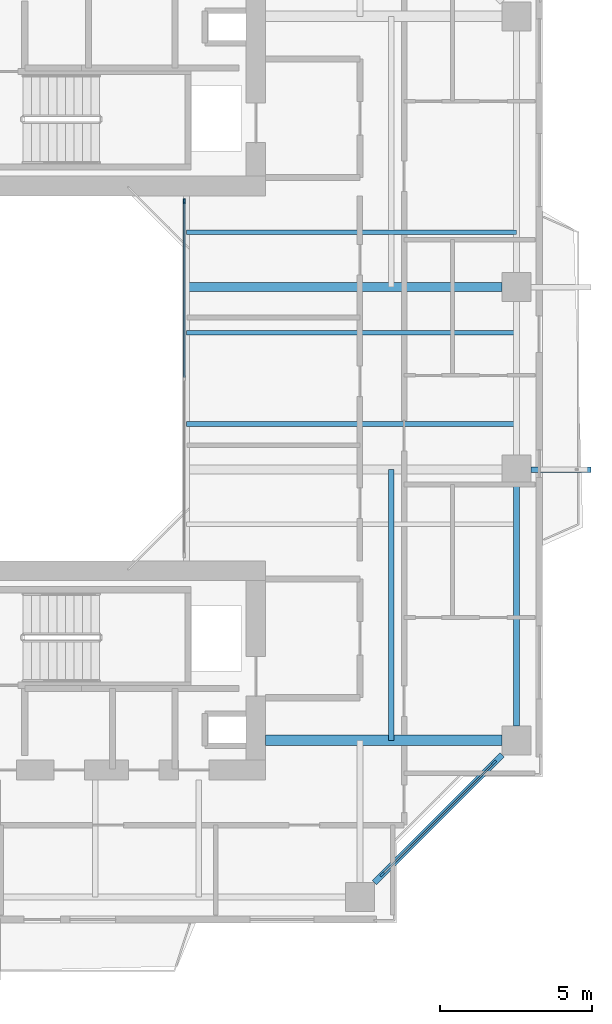
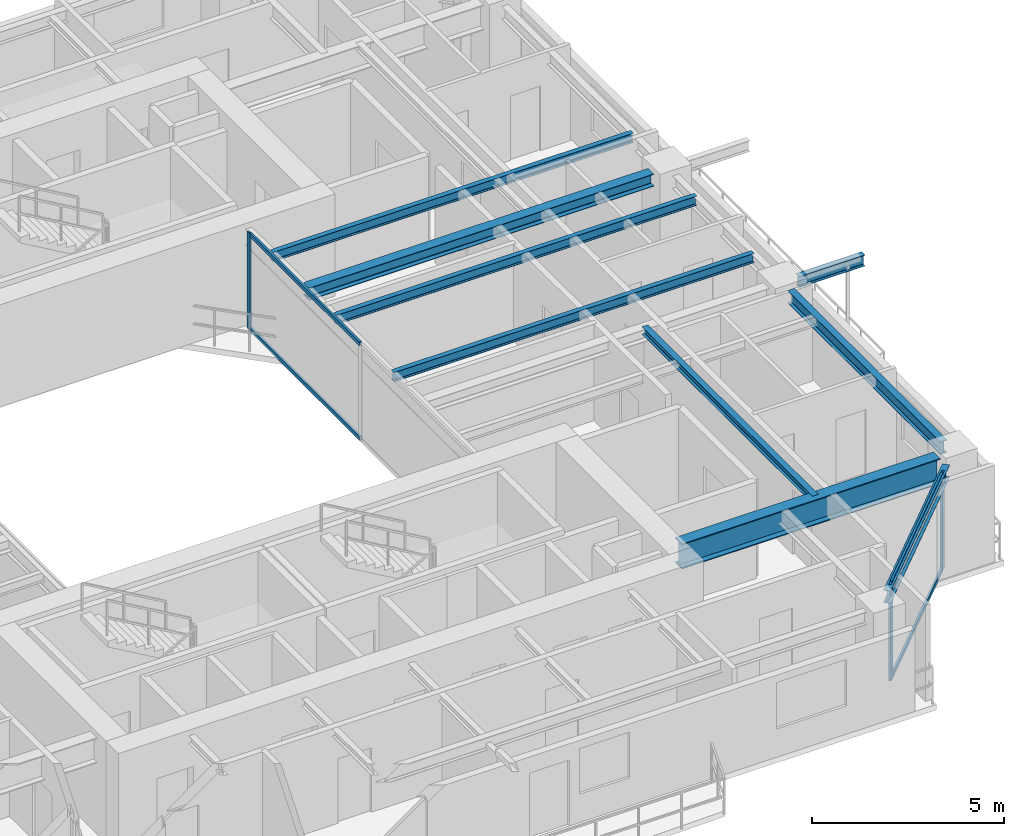
# One storey, part 7 of 18: 9 beams, 7 members, 2 elements without a shape of their own.
"""IFC4 building model written with IfcOpenShell, lengths in metres."""

from ifc_helpers import new_model, si_unit, direction, frame, origin, origin_2d, place, context, subcontext, project, spatial, rectangle, i_section, extrude, source, transform, mapped, material, layer, layer_set, material_profile, profile_set, type_object, element, aggregate, save


model = new_model("IFC4")

# Units and contexts
model_context = context("Model", 3, precision=1e-05, world=origin(), true_north=direction((0.0, 1.0)))
body_context = subcontext(model_context, "Body", "Model", "MODEL_VIEW")
ifc_project = project(units=[si_unit("LENGTHUNIT", "METRE"), si_unit("AREAUNIT", "SQUARE_METRE"), si_unit("VOLUMEUNIT", "CUBIC_METRE"), si_unit("PLANEANGLEUNIT", "RADIAN"), si_unit("MASSUNIT", "GRAM", prefix="KILO"), si_unit("THERMODYNAMICTEMPERATUREUNIT", "KELVIN"), si_unit("POWERUNIT", "WATT")], contexts=[model_context])

# Site, building, storey
site_placement = place(None, origin())
site = spatial("IfcSite", under=ifc_project, at=site_placement, CompositionType="ELEMENT")
building_placement = place(site_placement, origin())
building = spatial("IfcBuilding", under=site, at=building_placement, Name="Qiaomeng Ring Towers", CompositionType="ELEMENT")
storey_placement = place(building_placement, frame((0.0, 0.0, 179.5)))
storey = spatial("IfcBuildingStorey", under=building, at=storey_placement, Name="L52", CompositionType="ELEMENT", Elevation=179.5)

# Beams
ifc_material_1 = material(Name="Steel Q355B", Category="steel")
ifc_material_profile_1 = material_profile(ifc_material_1, i_section(OverallWidth=0.14990234375, OverallDepth=0.300048828125, WebThickness=0.006591796875, FlangeThickness=0.009033203125, FilletRadius=0.012939453125, at=origin_2d()), Name="HN 300x150x6.5x9")
ifc_profile_set_1 = profile_set([ifc_material_profile_1], Name="Steel Q355B")
beam_type_1 = type_object("IfcBeamType", Name="STR-BM-HN300", PredefinedType="JOIST", material=ifc_profile_set_1)
shared_shape_1 = source(origin(), body_context, "Body", "SweptSolid", [
    extrude(i_section(OverallWidth=0.14990234375, OverallDepth=0.300048828125, WebThickness=0.006591796875, FlangeThickness=0.009033203125, FilletRadius=0.012939453125, at=origin_2d()), origin(), (0.0, 0.0, 1.0), 10.85009765625),
])
for number, where, z_axis, x_axis, name in (
    (1, (25.199951171875, 21.5, 2.919921875), (1.0, 0.0, 0.0), (0.0, 1.0, 0.0), "L52 beam STR-JST-L52-T1E-2"),
    (2, (25.199951171875, 24.5, 2.919921875), (1.0, 0.0, 0.0), (0.0, 1.0, 0.0), "L52 beam STR-JST-L52-T1E-3"),
    (3, (25.199951171875, 27.800048828125, 2.919921875), (1.0, 0.0, 0.0), (0.0, 1.0, 0.0), "L52 beam STR-JST-L52-T1E-4"),
):
    element("IfcBeam", number, at=place(storey_placement, frame(where, z_axis=z_axis, x_axis=x_axis)), inside=storey, type_object=beam_type_1, Name=name, PredefinedType="JOIST", context=body_context, shape_type="MappedRepresentation", body=[
        mapped(shared_shape_1, transform((0.0, 0.0, 0.0), x_axis=(1.0, 0.0, 0.0), y_axis=(0.0, 1.0, 0.0), z_axis=(0.0, 0.0, 1.0), scale=1.0)),
    ])
ifc_material_profile_2 = material_profile(ifc_material_1, i_section(OverallWidth=0.175048828125, OverallDepth=0.243896484375, WebThickness=0.007080078125, FlangeThickness=0.010986328125, FilletRadius=0.01611328125, at=origin_2d()), Name="HM 244x175x7x11")
ifc_profile_set_2 = profile_set([ifc_material_profile_2], Name="Steel Q355B")
beam_type_2 = type_object("IfcBeamType", Name="STR-BM-HM244", PredefinedType="JOIST", material=ifc_profile_set_2)
shared_shape_2 = source(origin(), body_context, "Body", "SweptSolid", [
    extrude(i_section(OverallWidth=0.175048828125, OverallDepth=0.243896484375, WebThickness=0.007080078125, FlangeThickness=0.010986328125, FilletRadius=0.01611328125, at=origin_2d()), origin(), (0.0, 0.0, 1.0), 8.89990234375),
])
beam_1_placement = place(storey_placement, frame((31.925048828125, 11.10009765625, 2.947998046875), z_axis=(0.0, 1.0, 0.0), x_axis=(-1.0, 0.0, 0.0)))
element("IfcBeam", 4, at=beam_1_placement, inside=storey, type_object=beam_type_2, Name="L52 beam STR-JST-L52-T1C-ES", PredefinedType="JOIST", context=body_context, shape_type="MappedRepresentation", body=[
    mapped(shared_shape_2, transform((0.0, 0.0, 0.0), x_axis=(1.0, 0.0, 0.0), y_axis=(0.0, 1.0, 0.0), z_axis=(0.0, 0.0, 1.0), scale=1.0)),
])
ifc_material_profile_3 = material_profile(ifc_material_1, i_section(OverallWidth=0.199951171875, OverallDepth=0.39990234375, WebThickness=0.008056640625, FlangeThickness=0.012939453125, FilletRadius=0.01611328125, at=origin_2d()), Name="HN 400x200x8x13")
ifc_profile_set_3 = profile_set([ifc_material_profile_3], Name="Steel Q355B")
beam_type_3 = type_object("IfcBeamType", Name="STR-BM-HN400", PredefinedType="SPANDREL", material=ifc_profile_set_3)
shared_shape_3 = source(origin(), body_context, "Body", "SweptSolid", [
    extrude(i_section(OverallWidth=0.199951171875, OverallDepth=0.39990234375, WebThickness=0.008056640625, FlangeThickness=0.012939453125, FilletRadius=0.01611328125, at=origin_2d()), origin(), (0.0, 0.0, 1.0), 5.941650390625),
])
beam_2_placement = place(storey_placement, frame((31.374267578125, 6.42431640625, 2.8701171875), z_axis=(0.707106781187, 0.707106781187, 0.0), x_axis=(-0.707106781187, 0.707106781187, 0.0)))
element("IfcBeam", 5, at=beam_2_placement, inside=storey, type_object=beam_type_3, Name="L52 beam STR-SP-L52-T1-S2-E1", PredefinedType="SPANDREL", context=body_context, shape_type="MappedRepresentation", body=[
    mapped(shared_shape_3, transform((0.0, 0.0, 0.0), x_axis=(1.0, 0.0, 0.0), y_axis=(0.0, 1.0, 0.0), z_axis=(0.0, 0.0, 1.0), scale=1.0)),
])
shared_shape_4 = source(origin(), body_context, "Body", "SweptSolid", [
    extrude(i_section(OverallWidth=0.199951171875, OverallDepth=0.39990234375, WebThickness=0.008056640625, FlangeThickness=0.012939453125, FilletRadius=0.01611328125, at=origin_2d()), origin(), (0.0, 0.0, 1.0), 7.951904296875),
])
beam_3_placement = place(storey_placement, frame((36.050048828125, 11.573974609375, 2.8701171875), z_axis=(0.0, 1.0, 0.0), x_axis=(-1.0, 0.0, 0.0)))
element("IfcBeam", 6, at=beam_3_placement, inside=storey, type_object=beam_type_3, Name="L52 beam STR-SP-L52-T1-E1-E2", PredefinedType="SPANDREL", context=body_context, shape_type="MappedRepresentation", body=[
    mapped(shared_shape_4, transform((0.0, 0.0, 0.0), x_axis=(1.0, 0.0, 0.0), y_axis=(0.0, 1.0, 0.0), z_axis=(0.0, 0.0, 1.0), scale=1.0)),
])
ifc_material_2 = material(Name="Steel Q390GJC", Category="steel")
ifc_material_profile_4 = material_profile(ifc_material_2, i_section(OverallWidth=0.35009765625, OverallDepth=0.800048828125, WebThickness=0.01611328125, FlangeThickness=0.028076171875, at=origin_2d()), Name="WH 800x350x16x28")
ifc_profile_set_4 = profile_set([ifc_material_profile_4], Name="Steel Q390GJC")
beam_type_4 = type_object("IfcBeamType", Name="STR-BM-WH800", PredefinedType="BEAM", material=ifc_profile_set_4)
shared_shape_5 = source(origin(), body_context, "Body", "SweptSolid", [
    extrude(i_section(OverallWidth=0.35009765625, OverallDepth=0.800048828125, WebThickness=0.01611328125, FlangeThickness=0.028076171875, at=origin_2d()), origin(), (0.0, 0.0, 1.0), 7.77587890625),
])
beam_4_placement = place(storey_placement, frame((27.800048828125, 11.10009765625, 2.669921875), z_axis=(1.0, 0.0, 0.0), x_axis=(0.0, 1.0, 0.0)))
element("IfcBeam", 7, at=beam_4_placement, inside=storey, type_object=beam_type_4, Name="L52 beam STR-BM-L52-T1-RAD-E1", PredefinedType="BEAM", context=body_context, shape_type="MappedRepresentation", body=[
    mapped(shared_shape_5, transform((0.0, 0.0, 0.0), x_axis=(1.0, 0.0, 0.0), y_axis=(0.0, 1.0, 0.0), z_axis=(0.0, 0.0, 1.0), scale=1.0)),
])
ifc_material_profile_5 = material_profile(ifc_material_1, i_section(OverallWidth=0.175048828125, OverallDepth=0.35009765625, WebThickness=0.007080078125, FlangeThickness=0.010986328125, FilletRadius=0.013916015625, at=origin_2d()), Name="HN 350x175x7x11")
ifc_profile_set_5 = profile_set([ifc_material_profile_5], Name="Steel Q355B")
beam_type_5 = type_object("IfcBeamType", Name="STR-BM-HN350", PredefinedType="JOIST", material=ifc_profile_set_5)
shared_shape_6 = source(origin(), body_context, "Body", "SweptSolid", [
    extrude(i_section(OverallWidth=0.175048828125, OverallDepth=0.35009765625, WebThickness=0.007080078125, FlangeThickness=0.010986328125, FilletRadius=0.013916015625, at=origin_2d()), origin(), (0.0, 0.0, 1.0), 1.97607421875),
])
beam_5_placement = place(storey_placement, frame((36.52392578125, 20.0, 2.89501953125), z_axis=(1.0, 0.0, 0.0), x_axis=(0.0, 1.0, 0.0)))
element("IfcBeam", 8, at=beam_5_placement, inside=storey, type_object=beam_type_5, Name="L52 beam STR-BALBM-L52-E2", PredefinedType="JOIST", context=body_context, shape_type="MappedRepresentation", body=[
    mapped(shared_shape_6, transform((0.0, 0.0, 0.0), x_axis=(1.0, 0.0, 0.0), y_axis=(0.0, 1.0, 0.0), z_axis=(0.0, 0.0, 1.0), scale=1.0)),
])
ifc_material_profile_6 = material_profile(ifc_material_1, i_section(OverallWidth=0.300048828125, OverallDepth=0.389892578125, WebThickness=0.010009765625, FlangeThickness=0.01611328125, FilletRadius=0.02197265625, at=origin_2d()), Name="HM 390x300x10x16")
ifc_profile_set_6 = profile_set([ifc_material_profile_6], Name="Steel Q355B")
beam_type_6 = type_object("IfcBeamType", Name="STR-BM-HM390", PredefinedType="BEAM", material=ifc_profile_set_6)
shared_shape_7 = source(origin(), body_context, "Body", "SweptSolid", [
    extrude(i_section(OverallWidth=0.300048828125, OverallDepth=0.389892578125, WebThickness=0.010009765625, FlangeThickness=0.01611328125, FilletRadius=0.02197265625, at=origin_2d()), origin(), (0.0, 0.0, 1.0), 10.3759765625),
])
beam_6_placement = place(storey_placement, frame((25.199951171875, 26.0, 2.875), z_axis=(1.0, 0.0, 0.0), x_axis=(0.0, 1.0, 0.0)))
element("IfcBeam", 9, at=beam_6_placement, inside=storey, type_object=beam_type_6, Name="L52 beam STR-BM-L52-T1-RAD-E3", PredefinedType="BEAM", context=body_context, shape_type="MappedRepresentation", body=[
    mapped(shared_shape_7, transform((0.0, 0.0, 0.0), x_axis=(1.0, 0.0, 0.0), y_axis=(0.0, 1.0, 0.0), z_axis=(0.0, 0.0, 1.0), scale=1.0)),
])

# Curtain wall, members
ifc_material_3 = material(Name="Fluorocarbon dark-grey aluminium", Category="aluminium")
ifc_layer_1 = layer(ifc_material_3, 0.139892578125, Name="Fluorocarbon dark-grey aluminium")
ifc_layer_set_1 = layer_set([ifc_layer_1], Name="Fluorocarbon dark-grey aluminium")
curtain_wall_type_1 = type_object("IfcCurtainWallType", Name="ARC-CW-4", PredefinedType="NOTDEFINED", material=ifc_layer_set_1)
curtain_wall_1_placement = place(storey_placement, origin())
curtain_wall_1 = element("IfcCurtainWall", 10, at=curtain_wall_1_placement, inside=storey, type_object=curtain_wall_type_1, Name="L52 Curtain Wall CW4", PredefinedType="NOTDEFINED")
ifc_material_profile_7 = material_profile(ifc_material_3, rectangle(XDim=0.06494140625, YDim=0.159912109375, at=origin_2d()), Name="ALU MULL 65x160")
ifc_profile_set_7 = profile_set([ifc_material_profile_7], Name="Fluorocarbon dark-grey aluminium")
member_type_1 = type_object("IfcMemberType", Name="ARC-CWM-140", PredefinedType="MULLION", material=ifc_profile_set_7)
shared_shape_8 = source(origin(), body_context, "Body", "SweptSolid", [
    extrude(rectangle(XDim=0.06494140625, YDim=0.159912109375, at=origin_2d()), origin(), (0.0, 0.0, 1.0), 3.070068359375),
])
member_1_placement = place(storey_placement, frame((25.1201171875, 28.8173828125, 0.0), z_axis=(0.0, 0.0, 1.0), x_axis=(-1.0, 0.0, 0.0)))
member_1 = element("IfcMember", 11, at=member_1_placement, type_object=member_type_1, Name="CW4 mullion 3", PredefinedType="MULLION", context=body_context, shape_type="MappedRepresentation", body=[
    mapped(shared_shape_8, transform((0.0, 0.0, 0.0), x_axis=(1.0, 0.0, 0.0), y_axis=(0.0, 1.0, 0.0), z_axis=(0.0, 0.0, 1.0), scale=1.0)),
])
ifc_material_profile_8 = material_profile(ifc_material_3, rectangle(XDim=0.06494140625, YDim=0.1298828125, at=origin_2d()), Name="ALU TRAN 65x130")
ifc_profile_set_8 = profile_set([ifc_material_profile_8], Name="Fluorocarbon dark-grey aluminium")
member_type_2 = type_object("IfcMemberType", Name="ARC-CWT-120", PredefinedType="USERDEFINED", material=ifc_profile_set_8)
shared_shape_9 = source(origin(), body_context, "Body", "SweptSolid", [
    extrude(rectangle(XDim=0.06494140625, YDim=0.1298828125, at=origin_2d()), origin(), (0.0, 0.0, 1.0), 5.75244140625),
])
member_2_placement = place(storey_placement, frame((25.1201171875, 23.032470703125, 0.032470703125), z_axis=(0.0, 1.0, 0.0), x_axis=(-1.0, 0.0, 0.0)))
member_2 = element("IfcMember", 12, at=member_2_placement, type_object=member_type_2, Name="CW4 transom 2.1", ObjectType="TRANSOM", PredefinedType="USERDEFINED", context=body_context, shape_type="MappedRepresentation", body=[
    mapped(shared_shape_9, transform((0.0, 0.0, 0.0), x_axis=(1.0, 0.0, 0.0), y_axis=(0.0, 1.0, 0.0), z_axis=(0.0, 0.0, 1.0), scale=1.0)),
])
member_3_placement = place(storey_placement, frame((25.1201171875, 23.032470703125, 3.03759765625), z_axis=(0.0, 1.0, 0.0), x_axis=(-1.0, 0.0, 0.0)))
member_3 = element("IfcMember", 13, at=member_3_placement, type_object=member_type_2, Name="CW4 transom 2.2", ObjectType="TRANSOM", PredefinedType="USERDEFINED", context=body_context, shape_type="MappedRepresentation", body=[
    mapped(shared_shape_9, transform((0.0, 0.0, 0.0), x_axis=(1.0, 0.0, 0.0), y_axis=(0.0, 1.0, 0.0), z_axis=(0.0, 0.0, 1.0), scale=1.0)),
])
aggregate(curtain_wall_1, [member_1, member_2, member_3])

ifc_layer_2 = layer(ifc_material_3, 0.14990234375, Name="Fluorocarbon dark-grey aluminium")
ifc_layer_set_2 = layer_set([ifc_layer_2], Name="Fluorocarbon dark-grey aluminium")
curtain_wall_type_2 = type_object("IfcCurtainWallType", Name="ARC-CW-3", PredefinedType="NOTDEFINED", material=ifc_layer_set_2)
curtain_wall_2_placement = place(storey_placement, origin())
curtain_wall_2 = element("IfcCurtainWall", 14, at=curtain_wall_2_placement, inside=storey, type_object=curtain_wall_type_2, Name="L52 Curtain Wall CW3", PredefinedType="NOTDEFINED")
ifc_material_profile_9 = material_profile(ifc_material_3, rectangle(XDim=0.070068359375, YDim=0.179931640625, at=origin_2d()), Name="ALU MULL 70x180")
ifc_profile_set_9 = profile_set([ifc_material_profile_9], Name="Fluorocarbon dark-grey aluminium")
member_type_3 = type_object("IfcMemberType", Name="ARC-CWM-160", PredefinedType="MULLION", material=ifc_profile_set_9)
shared_shape_10 = source(origin(), body_context, "Body", "SweptSolid", [
    extrude(rectangle(XDim=0.070068359375, YDim=0.179931640625, at=origin_2d()), origin(), (0.0, 0.0, 1.0), 3.070068359375),
])
member_4_placement = place(storey_placement, frame((31.6396484375, 6.689697265625, 0.0), z_axis=(0.0, 0.0, 1.0), x_axis=(-0.707106781187, 0.707106781187, 0.0)))
member_4 = element("IfcMember", 15, at=member_4_placement, type_object=member_type_3, Name="CW3 mullion 1", PredefinedType="MULLION", context=body_context, shape_type="MappedRepresentation", body=[
    mapped(shared_shape_10, transform((0.0, 0.0, 0.0), x_axis=(1.0, 0.0, 0.0), y_axis=(0.0, 1.0, 0.0), z_axis=(0.0, 0.0, 1.0), scale=1.0)),
])
member_5_placement = place(storey_placement, frame((35.310302734375, 10.3603515625, 0.0), z_axis=(0.0, 0.0, 1.0), x_axis=(-0.707106781187, 0.707106781187, 0.0)))
member_5 = element("IfcMember", 16, at=member_5_placement, type_object=member_type_3, Name="CW3 mullion 2", PredefinedType="MULLION", context=body_context, shape_type="MappedRepresentation", body=[
    mapped(shared_shape_10, transform((0.0, 0.0, 0.0), x_axis=(1.0, 0.0, 0.0), y_axis=(0.0, 1.0, 0.0), z_axis=(0.0, 0.0, 1.0), scale=1.0)),
])
shared_shape_11 = source(origin(), body_context, "Body", "SweptSolid", [
    extrude(rectangle(XDim=0.06494140625, YDim=0.1298828125, at=origin_2d()), origin(), (0.0, 0.0, 1.0), 5.12060546875),
])
member_6_placement = place(storey_placement, frame((31.66455078125, 6.714599609375, 0.032470703125), z_axis=(0.707106781187, 0.707106781187, 0.0), x_axis=(-0.707106781187, 0.707106781187, 0.0)))
member_6 = element("IfcMember", 17, at=member_6_placement, type_object=member_type_2, Name="CW3 transom 1.1", ObjectType="TRANSOM", PredefinedType="USERDEFINED", context=body_context, shape_type="MappedRepresentation", body=[
    mapped(shared_shape_11, transform((0.0, 0.0, 0.0), x_axis=(1.0, 0.0, 0.0), y_axis=(0.0, 1.0, 0.0), z_axis=(0.0, 0.0, 1.0), scale=1.0)),
])
member_7_placement = place(storey_placement, frame((31.66455078125, 6.714599609375, 3.03759765625), z_axis=(0.707106781187, 0.707106781187, 0.0), x_axis=(-0.707106781187, 0.707106781187, 0.0)))
member_7 = element("IfcMember", 18, at=member_7_placement, type_object=member_type_2, Name="CW3 transom 1.2", ObjectType="TRANSOM", PredefinedType="USERDEFINED", context=body_context, shape_type="MappedRepresentation", body=[
    mapped(shared_shape_11, transform((0.0, 0.0, 0.0), x_axis=(1.0, 0.0, 0.0), y_axis=(0.0, 1.0, 0.0), z_axis=(0.0, 0.0, 1.0), scale=1.0)),
])
aggregate(curtain_wall_2, [member_4, member_5, member_6, member_7])

save(model, "model.ifc")
